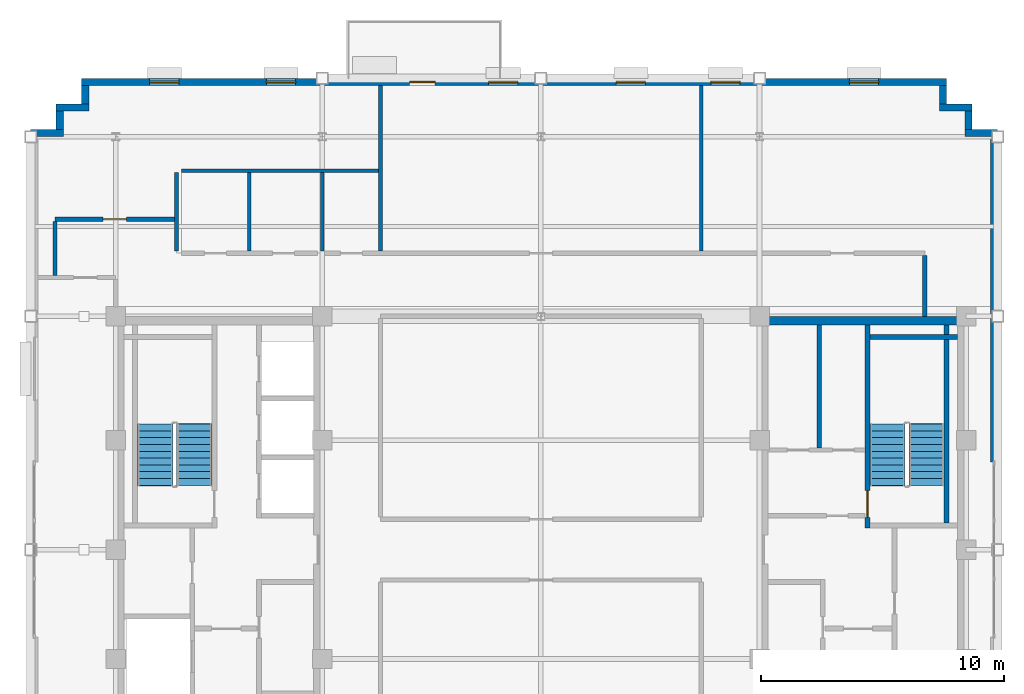
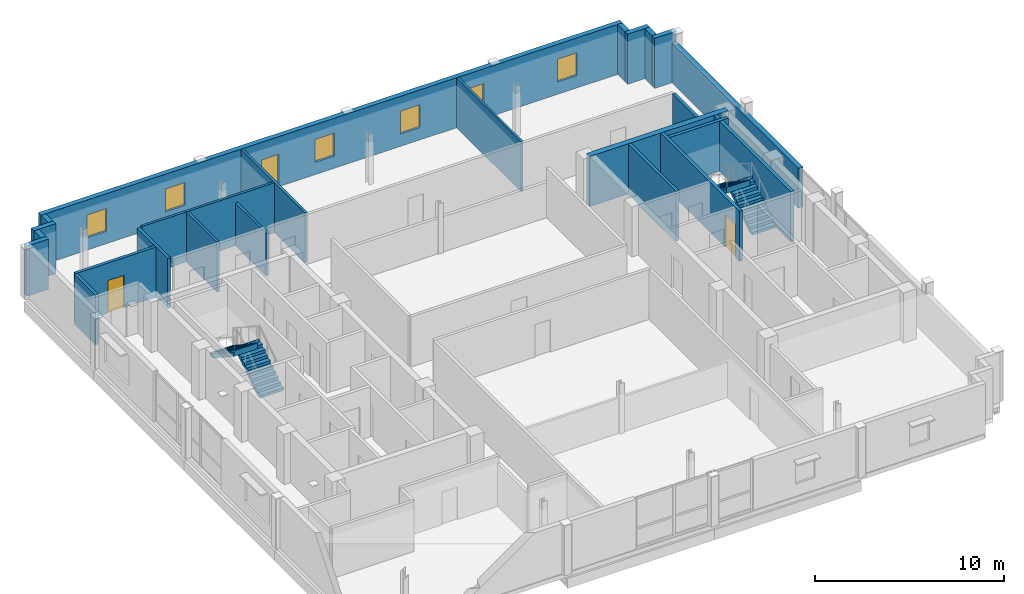
# One storey, part 8 of 15: 24 walls, 6 windows, 4 stair flights, 3 doors, 9 openings, 2 elements without a shape of their own.
"""IFC4 building model written with IfcOpenShell, lengths in metres."""

from ifc_helpers import new_model, si_unit, direction, frame, frame_2d, origin, place, context, subcontext, project, spatial, polyline, rectangle, outline, extrude, source, transform, mapped, material, layer, layer_set, type_object, type_shapes, element, fill, aggregate, save


model = new_model("IFC4")

# Units and contexts
model_context = context("Model", 3, precision=1e-05, world=origin(), true_north=direction((0.0, 1.0)))
body_context = subcontext(model_context, "Body", "Model", "MODEL_VIEW")
ifc_project = project(units=[si_unit("LENGTHUNIT", "METRE"), si_unit("AREAUNIT", "SQUARE_METRE"), si_unit("VOLUMEUNIT", "CUBIC_METRE"), si_unit("PLANEANGLEUNIT", "RADIAN"), si_unit("MASSUNIT", "GRAM", prefix="KILO")], contexts=[model_context])

# Site, building, storey
site_placement = place(None, origin())
site = spatial("IfcSite", under=ifc_project, at=site_placement, CompositionType="ELEMENT")
building_placement = place(site_placement, origin())
building = spatial("IfcBuilding", under=site, at=building_placement, Name="Nuvemarco Arch Tower", CompositionType="ELEMENT")
storey_placement = place(building_placement, frame((0.0, 0.0, 283.5)))
storey = spatial("IfcBuildingStorey", under=building, at=storey_placement, Name="L75", CompositionType="ELEMENT", Elevation=283.5)

# Walls
ifc_material_1 = material(Name="Precast concrete C45/55", Category="concrete")
ifc_layer_1 = layer(ifc_material_1, 0.300048828125, Name="EW-HIGH-300")
ifc_layer_set_1 = layer_set([ifc_layer_1], Name="Precast concrete C45/55")
wall_type_1 = type_object("IfcWallType", Name="EW-HIGH-300", PredefinedType="STANDARD", material=ifc_layer_set_1)
wall_1_placement = place(storey_placement, frame((18.64990234375, 3.60009765625, 0.0), z_axis=(0.0, 0.0, 1.0), x_axis=(0.0, 1.0, 0.0)))
element("IfcWall", 1, at=wall_1_placement, inside=storey, type_object=wall_type_1, Name="L75 exterior precast pier wall east right", PredefinedType="STANDARD", context=body_context, shape_type="SweptSolid", body=[
    extrude(rectangle(XDim=13.40380859375, YDim=0.300048828125, at=frame_2d((6.701904296875, 0.0))), origin(), (0.0, 0.0, 1.0), 2.5849609375),
])
wall_2_placement = place(storey_placement, frame((17.449951171875, 17.14990234375, 0.0), z_axis=(0.0, 0.0, 1.0), x_axis=(1.0, 0.0, 0.0)))
element("IfcWall", 2, at=wall_2_placement, inside=storey, type_object=wall_type_1, Name="L75 exterior precast facade wall 7", PredefinedType="STANDARD", context=body_context, shape_type="SweptSolid", body=[
    extrude(rectangle(XDim=1.35009765625, YDim=0.300048828125, at=frame_2d((0.675048828125, 0.0))), origin(), (0.0, 0.0, 1.0), 3.239990234375),
])
wall_3_placement = place(storey_placement, frame((17.60009765625, 17.2958984375, 0.0), z_axis=(0.0, 0.0, 1.0), x_axis=(0.0, 1.0, 0.0)))
element("IfcWall", 3, at=wall_3_placement, inside=storey, type_object=wall_type_1, Name="L75 exterior precast facade wall 8", PredefinedType="STANDARD", context=body_context, shape_type="SweptSolid", body=[
    extrude(rectangle(XDim=0.758056640625, YDim=0.300048828125, at=frame_2d((0.37890625, 0.0))), origin(), (0.0, 0.0, 1.0), 3.239990234375),
])
wall_4_placement = place(storey_placement, frame((16.39990234375, 18.199951171875, 0.0), z_axis=(0.0, 0.0, 1.0), x_axis=(1.0, 0.0, 0.0)))
element("IfcWall", 4, at=wall_4_placement, inside=storey, type_object=wall_type_1, Name="L75 exterior precast facade wall 9", PredefinedType="STANDARD", context=body_context, shape_type="SweptSolid", body=[
    extrude(rectangle(XDim=1.35009765625, YDim=0.300048828125, at=frame_2d((0.675048828125, 0.0))), origin(), (0.0, 0.0, 1.0), 3.239990234375),
])
wall_5_placement = place(storey_placement, frame((16.550048828125, 18.345947265625, 0.0), z_axis=(0.0, 0.0, 1.0), x_axis=(0.0, 1.0, 0.0)))
element("IfcWall", 5, at=wall_5_placement, inside=storey, type_object=wall_type_1, Name="L75 exterior precast facade wall 10", PredefinedType="STANDARD", context=body_context, shape_type="SweptSolid", body=[
    extrude(rectangle(XDim=0.758056640625, YDim=0.300048828125, at=frame_2d((0.37890625, 0.0))), origin(), (0.0, 0.0, 1.0), 3.239990234375),
])

# Wall, openings, door, windows
wall_6_placement = place(storey_placement, frame((-18.89990234375, 19.25, 0.0), z_axis=(0.0, 0.0, 1.0), x_axis=(1.0, 0.0, 0.0)))
wall_6 = element("IfcWall", 6, at=wall_6_placement, inside=storey, type_object=wall_type_1, Name="L75 exterior precast facade wall 11", PredefinedType="STANDARD", context=body_context, shape_type="SweptSolid", body=[
    extrude(rectangle(XDim=35.599853515625, YDim=0.300048828125, at=frame_2d((17.7998046875, 0.0))), origin(), (0.0, 0.0, 1.0), 3.239990234375),
])
opening_1_placement = place(wall_6_placement, frame((13.5, 0.0, 0.0)))
opening_1 = element("IfcOpeningElement", 7, at=opening_1_placement, cuts=wall_6, Name="Opening ED-5", PredefinedType="OPENING", context=body_context, shape_type="SweptSolid", body=[
    extrude(rectangle(XDim=1.050048828125, YDim=2.10009765625, at=frame_2d((0.52490234375, 1.050048828125))), frame((0.0, 0.159912109375, 0.0), z_axis=(0.0, -1.0, 0.0), x_axis=(1.0, 0.0, 0.0)), (0.0, 0.0, 1.0), 0.320068359375),
])
opening_2_placement = place(wall_6_placement, frame((2.800048828125, 0.0, 0.800048828125)))
opening_2 = element("IfcOpeningElement", 8, at=opening_2_placement, cuts=wall_6, Name="Opening WN-8", PredefinedType="OPENING", context=body_context, shape_type="SweptSolid", body=[
    extrude(rectangle(XDim=1.199951171875, YDim=1.47998046875, at=frame_2d((0.60009765625, 0.739990234375))), frame((0.0, 0.159912109375, 0.0), z_axis=(0.0, -1.0, 0.0), x_axis=(1.0, 0.0, 0.0)), (0.0, 0.0, 1.0), 0.320068359375),
])
opening_3_placement = place(wall_6_placement, frame((7.60009765625, 0.0, 0.800048828125)))
opening_3 = element("IfcOpeningElement", 9, at=opening_3_placement, cuts=wall_6, Name="Opening WN-8", PredefinedType="OPENING", context=body_context, shape_type="SweptSolid", body=[
    extrude(rectangle(XDim=1.199951171875, YDim=1.47998046875, at=frame_2d((0.60009765625, 0.739990234375))), frame((0.0, 0.159912109375, 0.0), z_axis=(0.0, -1.0, 0.0), x_axis=(1.0, 0.0, 0.0)), (0.0, 0.0, 1.0), 0.320068359375),
])
opening_4_placement = place(wall_6_placement, frame((16.75, 0.0, 0.800048828125)))
opening_4 = element("IfcOpeningElement", 10, at=opening_4_placement, cuts=wall_6, Name="Opening WN-8", PredefinedType="OPENING", context=body_context, shape_type="SweptSolid", body=[
    extrude(rectangle(XDim=1.199951171875, YDim=1.47998046875, at=frame_2d((0.60009765625, 0.739990234375))), frame((0.0, 0.159912109375, 0.0), z_axis=(0.0, -1.0, 0.0), x_axis=(1.0, 0.0, 0.0)), (0.0, 0.0, 1.0), 0.320068359375),
])
opening_5_placement = place(wall_6_placement, frame((22.0, 0.0, 0.800048828125)))
opening_5 = element("IfcOpeningElement", 11, at=opening_5_placement, cuts=wall_6, Name="Opening WN-8", PredefinedType="OPENING", context=body_context, shape_type="SweptSolid", body=[
    extrude(rectangle(XDim=1.199951171875, YDim=1.47998046875, at=frame_2d((0.60009765625, 0.739990234375))), frame((0.0, 0.159912109375, 0.0), z_axis=(0.0, -1.0, 0.0), x_axis=(1.0, 0.0, 0.0)), (0.0, 0.0, 1.0), 0.320068359375),
])
opening_6_placement = place(wall_6_placement, frame((25.89990234375, 0.0, 0.800048828125)))
opening_6 = element("IfcOpeningElement", 12, at=opening_6_placement, cuts=wall_6, Name="Opening WN-8", PredefinedType="OPENING", context=body_context, shape_type="SweptSolid", body=[
    extrude(rectangle(XDim=1.199951171875, YDim=1.47998046875, at=frame_2d((0.60009765625, 0.739990234375))), frame((0.0, 0.159912109375, 0.0), z_axis=(0.0, -1.0, 0.0), x_axis=(1.0, 0.0, 0.0)), (0.0, 0.0, 1.0), 0.320068359375),
])
opening_7_placement = place(wall_6_placement, frame((31.60009765625, 0.0, 0.800048828125)))
opening_7 = element("IfcOpeningElement", 13, at=opening_7_placement, cuts=wall_6, Name="Opening WN-8", PredefinedType="OPENING", context=body_context, shape_type="SweptSolid", body=[
    extrude(rectangle(XDim=1.199951171875, YDim=1.47998046875, at=frame_2d((0.60009765625, 0.739990234375))), frame((0.0, 0.159912109375, 0.0), z_axis=(0.0, -1.0, 0.0), x_axis=(1.0, 0.0, 0.0)), (0.0, 0.0, 1.0), 0.320068359375),
])
ifc_material_2 = material(Name="Anodised bronze and laminated glass", Category="glass")
door_type_1 = type_object("IfcDoorType", Name="DR-EXT-TERR", OperationType="NOTDEFINED", PredefinedType="DOOR", material=ifc_material_2)
shared_shape_1 = source(origin(), body_context, "Body", "SweptSolid", [
    extrude(rectangle(XDim=1.050048828125, YDim=2.10009765625, at=frame_2d((0.52490234375, 1.050048828125))), frame((0.0, 0.02490234375, 0.0), z_axis=(0.0, -1.0, 0.0), x_axis=(1.0, 0.0, 0.0)), (0.0, 0.0, 1.0), 0.050048828125),
])
type_shapes(door_type_1, [shared_shape_1])
door_1_placement = place(opening_1_placement, origin())
door_1 = element("IfcDoor", 14, at=door_1_placement, inside=storey, type_object=door_type_1, Name="L75 spiral terrace access door", OperationType="SINGLE_SWING_LEFT", OverallHeight=2.10009765625, OverallWidth=1.050048828125, PredefinedType="DOOR", context=body_context, shape_type="MappedRepresentation", body=[
    mapped(shared_shape_1, transform((0.0, 0.0, 0.0), scale=1.0)),
])
fill(opening_1, door_1)
ifc_material_3 = material(Name="Insulated solar-control glass", Category="glass")
window_type = type_object("IfcWindowType", Name="WN-HIGH-1200x1480", PartitioningType="SINGLE_PANEL", PredefinedType="WINDOW", material=ifc_material_3)
shared_shape_2 = source(origin(), body_context, "Body", "SweptSolid", [
    extrude(rectangle(XDim=1.199951171875, YDim=1.47998046875, at=frame_2d((0.60009765625, 0.739990234375))), frame((0.0, 0.030029296875, 0.0), z_axis=(0.0, -1.0, 0.0), x_axis=(1.0, 0.0, 0.0)), (0.0, 0.0, 1.0), 0.06005859375),
])
type_shapes(window_type, [shared_shape_2])
window_1_placement = place(opening_2_placement, origin())
window_1 = element("IfcWindow", 15, at=window_1_placement, inside=storey, type_object=window_type, Name="L75 punched facade window 1", OverallHeight=1.47998046875, OverallWidth=1.199951171875, PartitioningType="SINGLE_PANEL", PredefinedType="WINDOW", context=body_context, shape_type="MappedRepresentation", body=[
    mapped(shared_shape_2, transform((0.0, 0.0, 0.0), scale=1.0)),
])
fill(opening_2, window_1)
window_2_placement = place(opening_3_placement, origin())
window_2 = element("IfcWindow", 16, at=window_2_placement, inside=storey, type_object=window_type, Name="L75 punched facade window 2", OverallHeight=1.47998046875, OverallWidth=1.199951171875, PartitioningType="SINGLE_PANEL", PredefinedType="WINDOW", context=body_context, shape_type="MappedRepresentation", body=[
    mapped(shared_shape_2, transform((0.0, 0.0, 0.0), scale=1.0)),
])
fill(opening_3, window_2)
window_3_placement = place(opening_4_placement, origin())
window_3 = element("IfcWindow", 17, at=window_3_placement, inside=storey, type_object=window_type, Name="L75 punched facade window 4", OverallHeight=1.47998046875, OverallWidth=1.199951171875, PartitioningType="SINGLE_PANEL", PredefinedType="WINDOW", context=body_context, shape_type="MappedRepresentation", body=[
    mapped(shared_shape_2, transform((0.0, 0.0, 0.0), scale=1.0)),
])
fill(opening_4, window_3)
window_4_placement = place(opening_5_placement, origin())
window_4 = element("IfcWindow", 18, at=window_4_placement, inside=storey, type_object=window_type, Name="L75 punched facade window 5", OverallHeight=1.47998046875, OverallWidth=1.199951171875, PartitioningType="SINGLE_PANEL", PredefinedType="WINDOW", context=body_context, shape_type="MappedRepresentation", body=[
    mapped(shared_shape_2, transform((0.0, 0.0, 0.0), scale=1.0)),
])
fill(opening_5, window_4)
window_5_placement = place(opening_6_placement, origin())
window_5 = element("IfcWindow", 19, at=window_5_placement, inside=storey, type_object=window_type, Name="L75 punched facade window 6", OverallHeight=1.47998046875, OverallWidth=1.199951171875, PartitioningType="SINGLE_PANEL", PredefinedType="WINDOW", context=body_context, shape_type="MappedRepresentation", body=[
    mapped(shared_shape_2, transform((0.0, 0.0, 0.0), scale=1.0)),
])
fill(opening_6, window_5)
window_6_placement = place(opening_7_placement, origin())
window_6 = element("IfcWindow", 20, at=window_6_placement, inside=storey, type_object=window_type, Name="L75 punched facade window 7", OverallHeight=1.47998046875, OverallWidth=1.199951171875, PartitioningType="SINGLE_PANEL", PredefinedType="WINDOW", context=body_context, shape_type="MappedRepresentation", body=[
    mapped(shared_shape_2, transform((0.0, 0.0, 0.0), scale=1.0)),
])
fill(opening_7, window_6)

# Walls
wall_7_placement = place(storey_placement, frame((-18.75, 18.345947265625, 0.0), z_axis=(0.0, 0.0, 1.0), x_axis=(0.0, 1.0, 0.0)))
element("IfcWall", 21, at=wall_7_placement, inside=storey, type_object=wall_type_1, Name="L75 exterior precast facade wall 12", PredefinedType="STANDARD", context=body_context, shape_type="SweptSolid", body=[
    extrude(rectangle(XDim=0.758056640625, YDim=0.300048828125, at=frame_2d((0.37890625, 0.0))), origin(), (0.0, 0.0, 1.0), 3.239990234375),
])
wall_8_placement = place(storey_placement, frame((-19.949951171875, 18.199951171875, 0.0), z_axis=(0.0, 0.0, 1.0), x_axis=(1.0, 0.0, 0.0)))
element("IfcWall", 22, at=wall_8_placement, inside=storey, type_object=wall_type_1, Name="L75 exterior precast facade wall 13", PredefinedType="STANDARD", context=body_context, shape_type="SweptSolid", body=[
    extrude(rectangle(XDim=1.349853515625, YDim=0.300048828125, at=frame_2d((0.6748046875, 0.0))), origin(), (0.0, 0.0, 1.0), 3.239990234375),
])
wall_9_placement = place(storey_placement, frame((-19.800048828125, 17.2958984375, 0.0), z_axis=(0.0, 0.0, 1.0), x_axis=(0.0, 1.0, 0.0)))
element("IfcWall", 23, at=wall_9_placement, inside=storey, type_object=wall_type_1, Name="L75 exterior precast facade wall 14", PredefinedType="STANDARD", context=body_context, shape_type="SweptSolid", body=[
    extrude(rectangle(XDim=0.758056640625, YDim=0.300048828125, at=frame_2d((0.37890625, 0.0))), origin(), (0.0, 0.0, 1.0), 3.239990234375),
])
wall_10_placement = place(storey_placement, frame((-21.0, 17.14990234375, 0.0), z_axis=(0.0, 0.0, 1.0), x_axis=(1.0, 0.0, 0.0)))
element("IfcWall", 24, at=wall_10_placement, inside=storey, type_object=wall_type_1, Name="L75 exterior precast facade wall 15", PredefinedType="STANDARD", context=body_context, shape_type="SweptSolid", body=[
    extrude(rectangle(XDim=1.35009765625, YDim=0.300048828125, at=frame_2d((0.675048828125, 0.0))), origin(), (0.0, 0.0, 1.0), 3.239990234375),
])
ifc_material_4 = material(Name="Concrete C50/60", Category="concrete")
ifc_layer_2 = layer(ifc_material_4, 0.35009765625, Name="WL-CORE-350")
ifc_layer_set_2 = layer_set([ifc_layer_2], Name="Concrete C50/60")
wall_type_2 = type_object("IfcWallType", Name="WL-CORE-350", PredefinedType="SHEAR", material=ifc_layer_set_2)
wall_11_placement = place(storey_placement, frame((9.0, 9.425048828125, 0.0), z_axis=(0.0, 0.0, 1.0), x_axis=(1.0, 0.0, 0.0)))
element("IfcWall", 25, at=wall_11_placement, inside=storey, type_object=wall_type_2, Name="L75 E-core shear wall N", PredefinedType="SHEAR", context=body_context, shape_type="SweptSolid", body=[
    extrude(rectangle(XDim=8.5, YDim=0.35009765625, at=frame_2d((4.25, 0.0))), origin(), (0.0, 0.0, 1.0), 3.25),
])
ifc_material_5 = material(Name="Fire-rated gypsum drywall partition")
ifc_layer_3 = layer(ifc_material_5, 0.179931640625, Name="WL-CORR-180")
ifc_layer_set_3 = layer_set([ifc_layer_3], Name="Fire-rated gypsum drywall partition")
wall_type_3 = type_object("IfcWallType", Name="WL-CORR-180", PredefinedType="PARTITIONING", material=ifc_layer_set_3)
wall_12_placement = place(storey_placement, frame((11.449951171875, 4.18994140625, 0.0), z_axis=(0.0, 0.0, 1.0), x_axis=(0.0, 1.0, 0.0)))
element("IfcWall", 26, at=wall_12_placement, inside=storey, type_object=wall_type_3, Name="L75 interior wall IW-L75-EK3V", PredefinedType="PARTITIONING", context=body_context, shape_type="SweptSolid", body=[
    extrude(rectangle(XDim=5.06494140625, YDim=0.179931640625, at=frame_2d((2.532470703125, 0.0))), origin(), (0.0, 0.0, 1.0), 3.239990234375),
])

# Wall, opening, door
wall_13_placement = place(storey_placement, frame((-20.0, 13.60009765625, 0.0), z_axis=(0.0, 0.0, 1.0), x_axis=(1.0, 0.0, 0.0)))
wall_13 = element("IfcWall", 27, at=wall_13_placement, inside=storey, type_object=wall_type_3, Name="L75 interior wall IW-L75-015", PredefinedType="PARTITIONING", context=body_context, shape_type="SweptSolid", body=[
    extrude(rectangle(XDim=4.9140625, YDim=0.179931640625, at=frame_2d((2.45703125, 0.0))), origin(), (0.0, 0.0, 1.0), 3.239990234375),
])
opening_8_placement = place(wall_13_placement, frame((1.97705078125, 0.0, 0.0)))
opening_8 = element("IfcOpeningElement", 28, at=opening_8_placement, cuts=wall_13, Name="Opening FD-5", PredefinedType="OPENING", context=body_context, shape_type="SweptSolid", body=[
    extrude(rectangle(XDim=0.9599609375, YDim=2.10009765625, at=frame_2d((0.47998046875, 1.050048828125))), frame((0.0, 0.099853515625, 0.0), z_axis=(0.0, -1.0, 0.0), x_axis=(1.0, 0.0, 0.0)), (0.0, 0.0, 1.0), 0.199951171875),
])
ifc_material_6 = material(Name="Timber fire door", Category="wood")
door_type_2 = type_object("IfcDoorType", Name="DR-CORR-FD", OperationType="NOTDEFINED", PredefinedType="DOOR", material=ifc_material_6)
shared_shape_3 = source(origin(), body_context, "Body", "SweptSolid", [
    extrude(rectangle(XDim=0.9599609375, YDim=2.10009765625, at=frame_2d((0.47998046875, 1.050048828125))), frame((0.0, 0.02490234375, 0.0), z_axis=(0.0, -1.0, 0.0), x_axis=(1.0, 0.0, 0.0)), (0.0, 0.0, 1.0), 0.050048828125),
])
type_shapes(door_type_2, [shared_shape_3])
door_2_placement = place(opening_8_placement, origin())
door_2 = element("IfcDoor", 29, at=door_2_placement, inside=storey, type_object=door_type_2, Name="L75 door DR-L75-OBS_NW", OperationType="SINGLE_SWING_RIGHT", OverallHeight=2.10009765625, OverallWidth=0.9599609375, PredefinedType="DOOR", context=body_context, shape_type="MappedRepresentation", body=[
    mapped(shared_shape_3, transform((0.0, 0.0, 0.0), scale=1.0)),
])
fill(opening_8, door_2)

# Walls
wall_14_placement = place(storey_placement, frame((-20.0, 11.285888671875, 0.0), z_axis=(0.0, 0.0, 1.0), x_axis=(0.0, 1.0, 0.0)))
element("IfcWall", 30, at=wall_14_placement, inside=storey, type_object=wall_type_3, Name="L75 interior wall IW-L75-018", PredefinedType="PARTITIONING", context=body_context, shape_type="SweptSolid", body=[
    extrude(rectangle(XDim=2.22802734375, YDim=0.179931640625, at=frame_2d((1.114013671875, 0.0))), origin(), (0.0, 0.0, 1.0), 3.239990234375),
])
wall_15_placement = place(storey_placement, frame((-15.0, 12.285888671875, 0.0), z_axis=(0.0, 0.0, 1.0), x_axis=(0.0, 1.0, 0.0)))
element("IfcWall", 31, at=wall_15_placement, inside=storey, type_object=wall_type_3, Name="L75 interior wall IW-L75-022", PredefinedType="PARTITIONING", context=body_context, shape_type="SweptSolid", body=[
    extrude(rectangle(XDim=3.2431640625, YDim=0.179931640625, at=frame_2d((1.62158203125, 0.0))), origin(), (0.0, 0.0, 1.0), 3.239990234375),
])
wall_16_placement = place(storey_placement, frame((15.800048828125, 9.60009765625, 0.0), z_axis=(0.0, 0.0, 1.0), x_axis=(0.0, 1.0, 0.0)))
element("IfcWall", 32, at=wall_16_placement, inside=storey, type_object=wall_type_3, Name="L75 interior wall IW-L75-033", PredefinedType="PARTITIONING", context=body_context, shape_type="SweptSolid", body=[
    extrude(rectangle(XDim=2.513916015625, YDim=0.179931640625, at=frame_2d((1.2568359375, 0.0))), origin(), (0.0, 0.0, 1.0), 3.239990234375),
])
ifc_material_7 = material(Name="Glazed acoustic office partition")
ifc_layer_4 = layer(ifc_material_7, 0.1298828125, Name="WL-EXEC-130")
ifc_layer_set_4 = layer_set([ifc_layer_4], Name="Glazed acoustic office partition")
wall_type_4 = type_object("IfcWallType", Name="WL-EXEC-130", PredefinedType="PARTITIONING", material=ifc_layer_set_4)
wall_17_placement = place(storey_placement, frame((6.60009765625, 12.285888671875, 0.0), z_axis=(0.0, 0.0, 1.0), x_axis=(0.0, 1.0, 0.0)))
element("IfcWall", 33, at=wall_17_placement, inside=storey, type_object=wall_type_4, Name="L75 interior wall IW-L75-031", PredefinedType="PARTITIONING", context=body_context, shape_type="SweptSolid", body=[
    extrude(rectangle(XDim=6.814208984375, YDim=0.1298828125, at=frame_2d((3.4072265625, 0.0))), origin(), (0.0, 0.0, 1.0), 3.239990234375),
])

# Wall, opening, door
ifc_layer_5 = layer(ifc_material_4, 0.199951171875, Name="WL-SHAFT-220")
ifc_layer_set_5 = layer_set([ifc_layer_5], Name="Concrete C50/60")
wall_type_5 = type_object("IfcWallType", Name="WL-SHAFT-220", PredefinedType="SHEAR", material=ifc_layer_set_5)
wall_18_placement = place(storey_placement, frame((13.43994140625, 0.89990234375, 0.0), z_axis=(0.0, 0.0, 1.0), x_axis=(0.0, 1.0, 0.0)))
wall_18 = element("IfcWall", 34, at=wall_18_placement, inside=storey, type_object=wall_type_5, Name="L75 structural shaft wall SW-L75-E-ST2W", PredefinedType="SHEAR", context=body_context, shape_type="SweptSolid", body=[
    extrude(rectangle(XDim=8.35498046875, YDim=0.199951171875, at=frame_2d((4.177490234375, 0.0))), origin(), (0.0, 0.0, 1.0), 3.25),
])
opening_9_placement = place(wall_18_placement, frame((0.429931640625, 0.0, 0.0)))
opening_9 = element("IfcOpeningElement", 35, at=opening_9_placement, cuts=wall_18, Name="Opening FD-1", PredefinedType="OPENING", context=body_context, shape_type="SweptSolid", body=[
    extrude(rectangle(XDim=1.10009765625, YDim=2.14990234375, at=frame_2d((0.550048828125, 1.074951171875))), frame((0.0, 0.10986328125, 0.0), z_axis=(0.0, -1.0, 0.0), x_axis=(1.0, 0.0, 0.0)), (0.0, 0.0, 1.0), 0.219970703125),
])
ifc_material_8 = material(Name="Anodised steel fire door", Category="steel")
door_type_3 = type_object("IfcDoorType", Name="DR-STAIR-FD", OperationType="NOTDEFINED", PredefinedType="DOOR", material=ifc_material_8)
shared_shape_4 = source(origin(), body_context, "Body", "SweptSolid", [
    extrude(rectangle(XDim=1.10009765625, YDim=2.14990234375, at=frame_2d((0.550048828125, 1.074951171875))), frame((0.0, 0.02490234375, 0.0), z_axis=(0.0, -1.0, 0.0), x_axis=(1.0, 0.0, 0.0)), (0.0, 0.0, 1.0), 0.050048828125),
])
type_shapes(door_type_3, [shared_shape_4])
door_3_placement = place(opening_9_placement, origin())
door_3 = element("IfcDoor", 36, at=door_3_placement, inside=storey, type_object=door_type_3, Name="L75 door FD-L75-ST2", OperationType="SINGLE_SWING_RIGHT", OverallHeight=2.14990234375, OverallWidth=1.10009765625, PredefinedType="DOOR", context=body_context, shape_type="MappedRepresentation", body=[
    mapped(shared_shape_4, transform((0.0, 0.0, 0.0), scale=1.0)),
])
fill(opening_9, door_3)

# Walls
wall_19_placement = place(storey_placement, frame((13.534912109375, 8.75, 0.0), z_axis=(0.0, 0.0, 1.0), x_axis=(1.0, 0.0, 0.0)))
element("IfcWall", 37, at=wall_19_placement, inside=storey, type_object=wall_type_5, Name="L75 structural shaft wall SW-L75-E-ST2N", PredefinedType="SHEAR", context=body_context, shape_type="SweptSolid", body=[
    extrude(rectangle(XDim=3.6201171875, YDim=0.199951171875, at=frame_2d((1.81005859375, 0.0))), origin(), (0.0, 0.0, 1.0), 3.25),
])
wall_20_placement = place(storey_placement, frame((16.699951171875, 1.094970703125, 0.0), z_axis=(0.0, 0.0, 1.0), x_axis=(0.0, 1.0, 0.0)))
element("IfcWall", 38, at=wall_20_placement, inside=storey, type_object=wall_type_5, Name="L75 structural shaft wall SW-L75-E-ST2E", PredefinedType="SHEAR", context=body_context, shape_type="SweptSolid", body=[
    extrude(rectangle(XDim=8.159912109375, YDim=0.199951171875, at=frame_2d((4.080078125, 0.0))), origin(), (0.0, 0.0, 1.0), 3.25),
])
ifc_material_9 = material(Name="Moisture-resistant gypsum partition")
ifc_layer_6 = layer(ifc_material_9, 0.14990234375, Name="WL-WET-150")
ifc_layer_set_6 = layer_set([ifc_layer_6], Name="Moisture-resistant gypsum partition")
wall_type_6 = type_object("IfcWallType", Name="WL-WET-150", PredefinedType="PARTITIONING", material=ifc_layer_set_6)
wall_21_placement = place(storey_placement, frame((-14.800048828125, 15.60009765625, 0.0), z_axis=(0.0, 0.0, 1.0), x_axis=(1.0, 0.0, 0.0)))
element("IfcWall", 39, at=wall_21_placement, inside=storey, type_object=wall_type_6, Name="L75 interior wall IW-L75-016", PredefinedType="PARTITIONING", context=body_context, shape_type="SweptSolid", body=[
    extrude(rectangle(XDim=8.129150390625, YDim=0.14990234375, at=frame_2d((4.064453125, 0.0))), origin(), (0.0, 0.0, 1.0), 3.239990234375),
])
wall_22_placement = place(storey_placement, frame((-12.0, 12.285888671875, 0.0), z_axis=(0.0, 0.0, 1.0), x_axis=(0.0, 1.0, 0.0)))
element("IfcWall", 40, at=wall_22_placement, inside=storey, type_object=wall_type_6, Name="L75 interior wall IW-L75-023", PredefinedType="PARTITIONING", context=body_context, shape_type="SweptSolid", body=[
    extrude(rectangle(XDim=3.2431640625, YDim=0.14990234375, at=frame_2d((1.62158203125, 0.0))), origin(), (0.0, 0.0, 1.0), 3.239990234375),
])
wall_23_placement = place(storey_placement, frame((-9.0, 12.285888671875, 0.0), z_axis=(0.0, 0.0, 1.0), x_axis=(0.0, 1.0, 0.0)))
element("IfcWall", 41, at=wall_23_placement, inside=storey, type_object=wall_type_6, Name="L75 interior wall IW-L75-025", PredefinedType="PARTITIONING", context=body_context, shape_type="SweptSolid", body=[
    extrude(rectangle(XDim=3.2431640625, YDim=0.14990234375, at=frame_2d((1.62158203125, 0.0))), origin(), (0.0, 0.0, 1.0), 2.77197265625),
])
wall_24_placement = place(storey_placement, frame((-6.60009765625, 12.285888671875, 0.0), z_axis=(0.0, 0.0, 1.0), x_axis=(0.0, 1.0, 0.0)))
element("IfcWall", 42, at=wall_24_placement, inside=storey, type_object=wall_type_6, Name="L75 interior wall IW-L75-028", PredefinedType="PARTITIONING", context=body_context, shape_type="SweptSolid", body=[
    extrude(rectangle(XDim=6.814208984375, YDim=0.14990234375, at=frame_2d((3.4072265625, 0.0))), origin(), (0.0, 0.0, 1.0), 3.239990234375),
])

# Stair, stair flights
stair_type = type_object("IfcStairType", Name="ST-CORE-20R", PredefinedType="HALF_TURN_STAIR", material=ifc_material_1)
stair_1_placement = place(storey_placement, origin())
stair_1 = element("IfcStair", 43, at=stair_1_placement, inside=storey, type_object=stair_type, Name="L75 Protected Exit Stair ST-1", PredefinedType="HALF_TURN_STAIR")
stair_flight_type = type_object("IfcStairFlightType", Name="SF-CORE-20R", PredefinedType="STRAIGHT", material=ifc_material_1)
stair_flight_1_placement = place(storey_placement, frame((-14.264892578125, 2.64990234375, 0.0), z_axis=(0.0, 0.0, 1.0), x_axis=(0.0, 1.0, 0.0)))
stair_flight_1 = element("IfcStairFlight", 44, at=stair_flight_1_placement, type_object=stair_flight_type, Name="ST-20R flight 1", NumberOfRisers=10, NumberOfTreads=9, PredefinedType="STRAIGHT", RiserHeight=0.1825, TreadLength=0.28, context=body_context, shape_type="SweptSolid", body=[
    extrude(outline(polyline([(0.0, 0.0), (0.0, 0.1826171875), (0.280029296875, 0.1826171875), (0.280029296875, 0.364990234375), (0.56005859375, 0.364990234375), (0.56005859375, 0.547607421875), (0.840087890625, 0.547607421875), (0.840087890625, 0.72998046875), (1.1201171875, 0.72998046875), (1.1201171875, 0.91259765625), (1.39990234375, 0.91259765625), (1.39990234375, 1.094970703125), (1.679931640625, 1.094970703125), (1.679931640625, 1.277587890625), (1.9599609375, 1.277587890625), (1.9599609375, 1.4599609375), (2.239990234375, 1.4599609375), (2.239990234375, 1.642578125), (2.52001953125, 1.642578125), (2.52001953125, 1.824951171875), (2.5400390625, 1.824951171875), (2.5400390625, 1.45166015625), (0.312744140625, 0.0), (0.0, 0.0)])), frame((0.0, 0.72509765625, 0.0), z_axis=(0.0, -1.0, 0.0), x_axis=(1.0, 0.0, 0.0)), (0.0, 0.0, 1.0), 1.449951171875),
])
stair_flight_2_placement = place(storey_placement, frame((-15.875, 5.169921875, 1.824951171875), z_axis=(0.0, 0.0, 1.0), x_axis=(0.0, -1.0, 0.0)))
stair_flight_2 = element("IfcStairFlight", 45, at=stair_flight_2_placement, type_object=stair_flight_type, Name="ST-20R flight 2", NumberOfRisers=10, NumberOfTreads=9, PredefinedType="STRAIGHT", RiserHeight=0.1825, TreadLength=0.28, context=body_context, shape_type="SweptSolid", body=[
    extrude(outline(polyline([(0.0, 0.0), (0.0, 0.1826171875), (0.280029296875, 0.1826171875), (0.280029296875, 0.364990234375), (0.56005859375, 0.364990234375), (0.56005859375, 0.547607421875), (0.840087890625, 0.547607421875), (0.840087890625, 0.72998046875), (1.1201171875, 0.72998046875), (1.1201171875, 0.91259765625), (1.39990234375, 0.91259765625), (1.39990234375, 1.094970703125), (1.679931640625, 1.094970703125), (1.679931640625, 1.277587890625), (1.9599609375, 1.277587890625), (1.9599609375, 1.4599609375), (2.239990234375, 1.4599609375), (2.239990234375, 1.642578125), (2.52001953125, 1.642578125), (2.52001953125, 1.824951171875), (2.5400390625, 1.824951171875), (2.5400390625, 1.45166015625), (0.312744140625, 0.0), (0.0, 0.0)])), frame((0.0, 0.72509765625, 0.0), z_axis=(0.0, -1.0, 0.0), x_axis=(1.0, 0.0, 0.0)), (0.0, 0.0, 1.0), 1.449951171875),
])
aggregate(stair_1, [stair_flight_1, stair_flight_2])

stair_2_placement = place(storey_placement, origin())
stair_2 = element("IfcStair", 46, at=stair_2_placement, inside=storey, type_object=stair_type, Name="L75 Protected Exit Stair ST-2", PredefinedType="HALF_TURN_STAIR")
stair_flight_3_placement = place(storey_placement, frame((15.875, 2.64990234375, 0.0), z_axis=(0.0, 0.0, 1.0), x_axis=(0.0, 1.0, 0.0)))
stair_flight_3 = element("IfcStairFlight", 47, at=stair_flight_3_placement, type_object=stair_flight_type, Name="ST-20R flight 1", NumberOfRisers=10, NumberOfTreads=9, PredefinedType="STRAIGHT", RiserHeight=0.1825, TreadLength=0.28, context=body_context, shape_type="SweptSolid", body=[
    extrude(outline(polyline([(0.0, 0.0), (0.0, 0.1826171875), (0.280029296875, 0.1826171875), (0.280029296875, 0.364990234375), (0.56005859375, 0.364990234375), (0.56005859375, 0.547607421875), (0.840087890625, 0.547607421875), (0.840087890625, 0.72998046875), (1.1201171875, 0.72998046875), (1.1201171875, 0.91259765625), (1.39990234375, 0.91259765625), (1.39990234375, 1.094970703125), (1.679931640625, 1.094970703125), (1.679931640625, 1.277587890625), (1.9599609375, 1.277587890625), (1.9599609375, 1.4599609375), (2.239990234375, 1.4599609375), (2.239990234375, 1.642578125), (2.52001953125, 1.642578125), (2.52001953125, 1.824951171875), (2.5400390625, 1.824951171875), (2.5400390625, 1.45166015625), (0.312744140625, 0.0), (0.0, 0.0)])), frame((0.0, 0.72509765625, 0.0), z_axis=(0.0, -1.0, 0.0), x_axis=(1.0, 0.0, 0.0)), (0.0, 0.0, 1.0), 1.449951171875),
])
stair_flight_4_placement = place(storey_placement, frame((14.264892578125, 5.169921875, 1.824951171875), z_axis=(0.0, 0.0, 1.0), x_axis=(0.0, -1.0, 0.0)))
stair_flight_4 = element("IfcStairFlight", 48, at=stair_flight_4_placement, type_object=stair_flight_type, Name="ST-20R flight 2", NumberOfRisers=10, NumberOfTreads=9, PredefinedType="STRAIGHT", RiserHeight=0.1825, TreadLength=0.28, context=body_context, shape_type="SweptSolid", body=[
    extrude(outline(polyline([(0.0, 0.0), (0.0, 0.1826171875), (0.280029296875, 0.1826171875), (0.280029296875, 0.364990234375), (0.56005859375, 0.364990234375), (0.56005859375, 0.547607421875), (0.840087890625, 0.547607421875), (0.840087890625, 0.72998046875), (1.1201171875, 0.72998046875), (1.1201171875, 0.91259765625), (1.39990234375, 0.91259765625), (1.39990234375, 1.094970703125), (1.679931640625, 1.094970703125), (1.679931640625, 1.277587890625), (1.9599609375, 1.277587890625), (1.9599609375, 1.4599609375), (2.239990234375, 1.4599609375), (2.239990234375, 1.642578125), (2.52001953125, 1.642578125), (2.52001953125, 1.824951171875), (2.5400390625, 1.824951171875), (2.5400390625, 1.45166015625), (0.312744140625, 0.0), (0.0, 0.0)])), frame((0.0, 0.72509765625, 0.0), z_axis=(0.0, -1.0, 0.0), x_axis=(1.0, 0.0, 0.0)), (0.0, 0.0, 1.0), 1.449951171875),
])
aggregate(stair_2, [stair_flight_3, stair_flight_4])

save(model, "model.ifc")
